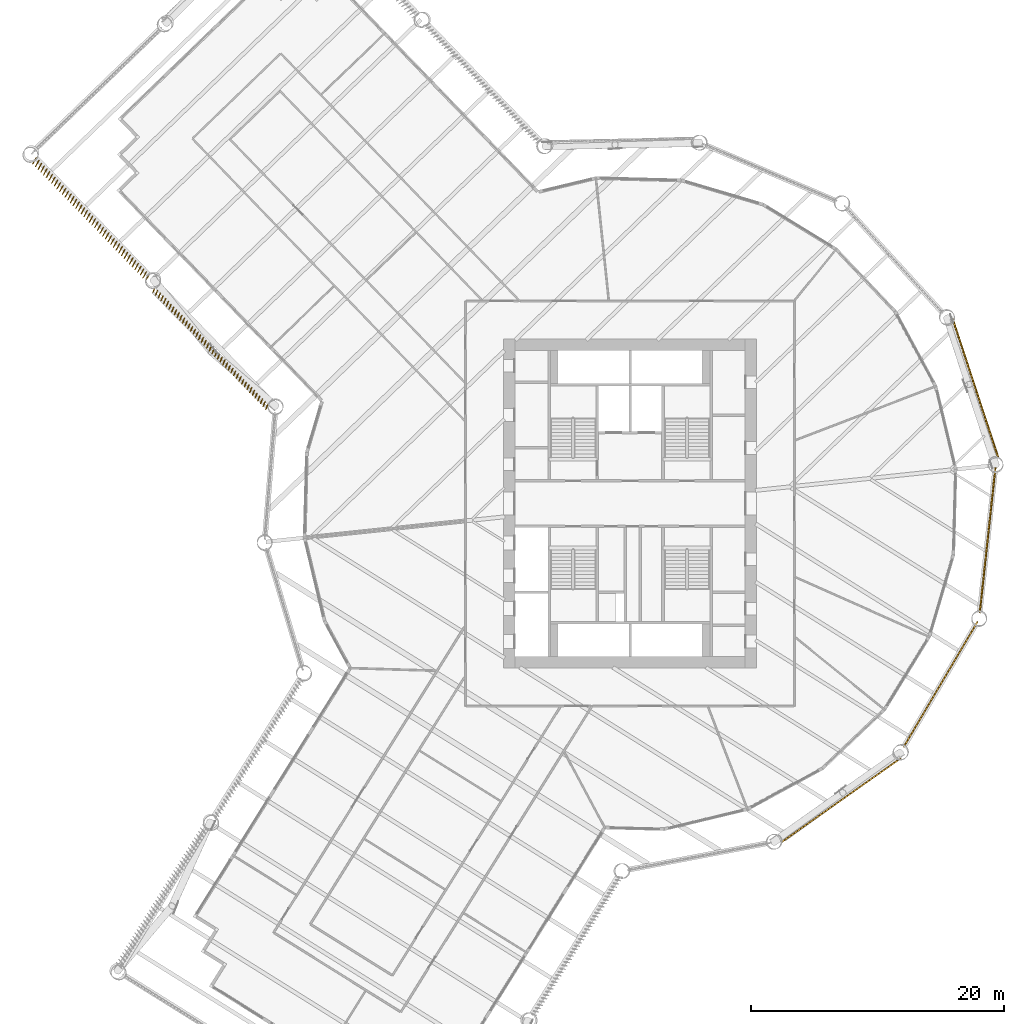
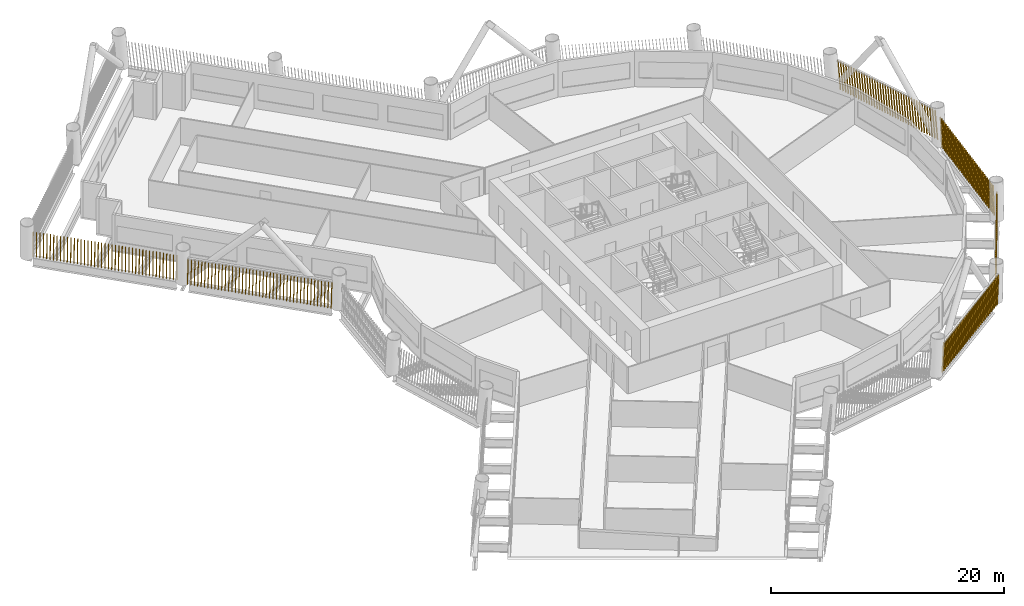
# One storey, part 20 of 22: 6 shading devices.
"""IFC4 building model written with IfcOpenShell, lengths in metres."""

from ifc_helpers import new_model, si_unit, direction, frame, frame_2d, origin, place, context, subcontext, project, spatial, rectangle, composite_profile, extrude, material, type_object, element, save


model = new_model("IFC4")

# Units and contexts
model_context = context("Model", 3, precision=1e-05, world=origin(), true_north=direction((0.0, 1.0)))
body_context = subcontext(model_context, "Body", "Model", "MODEL_VIEW")
ifc_project = project(units=[si_unit("LENGTHUNIT", "METRE"), si_unit("AREAUNIT", "SQUARE_METRE"), si_unit("VOLUMEUNIT", "CUBIC_METRE"), si_unit("PLANEANGLEUNIT", "RADIAN"), si_unit("MASSUNIT", "GRAM", prefix="KILO")], contexts=[model_context])

# Site, building, storey
site_placement = place(None, origin())
site = spatial("IfcSite", under=ifc_project, at=site_placement, CompositionType="ELEMENT")
building_placement = place(site_placement, origin())
building = spatial("IfcBuilding", under=site, at=building_placement, Name="Tarsis Ring Headquarters", CompositionType="ELEMENT")
storey_placement = place(building_placement, frame((0.0, 0.0, 71.199951171875)))
storey = spatial("IfcBuildingStorey", under=building, at=storey_placement, Name="L15", CompositionType="ELEMENT", Elevation=71.199951171875)

# Shading devices
ifc_material = material(Name="Terracotta baguette", Category="masonry")
shading_device_type = type_object("IfcShadingDeviceType", Name="Terracotta baguette screen", PredefinedType="USERDEFINED", material=ifc_material)
shading_device_1_placement = place(storey_placement, frame((11.962158203125, -26.763671875, 0.0), z_axis=(0.0, 0.0, 1.0), x_axis=(0.817710255019, 0.575648399349, 0.0)))
element("IfcShadingDevice", 1, at=shading_device_1_placement, inside=storey, type_object=shading_device_type, Name="Baguette screen L15-08", ObjectType="Terracotta baguette screen", PredefinedType="USERDEFINED", context=body_context, shape_type="SweptSolid", body=[
    extrude(composite_profile([rectangle(XDim=0.06005859375, YDim=0.1201171875, at=frame_2d((0.030029296875, 0.0))), rectangle(XDim=0.06005859375, YDim=0.1201171875, at=frame_2d((0.33251953125, 0.0))), rectangle(XDim=0.06005859375, YDim=0.1201171875, at=frame_2d((0.634765625, 0.0))), rectangle(XDim=0.06005859375, YDim=0.1201171875, at=frame_2d((0.937255859375, 0.0))), rectangle(XDim=0.06005859375, YDim=0.1201171875, at=frame_2d((1.239501953125, 0.0))), rectangle(XDim=0.06005859375, YDim=0.1201171875, at=frame_2d((1.5419921875, 0.0))), rectangle(XDim=0.06005859375, YDim=0.1201171875, at=frame_2d((1.844482421875, 0.0))), rectangle(XDim=0.06005859375, YDim=0.1201171875, at=frame_2d((2.146728515625, 0.0))), rectangle(XDim=0.06005859375, YDim=0.1201171875, at=frame_2d((2.44921875, 0.0))), rectangle(XDim=0.06005859375, YDim=0.1201171875, at=frame_2d((2.751708984375, 0.0))), rectangle(XDim=0.06005859375, YDim=0.1201171875, at=frame_2d((3.053955078125, 0.0))), rectangle(XDim=0.06005859375, YDim=0.1201171875, at=frame_2d((3.3564453125, 0.0))), rectangle(XDim=0.06005859375, YDim=0.1201171875, at=frame_2d((3.65869140625, 0.0))), rectangle(XDim=0.06005859375, YDim=0.1201171875, at=frame_2d((3.961181640625, 0.0))), rectangle(XDim=0.06005859375, YDim=0.1201171875, at=frame_2d((4.263671875, 0.0))), rectangle(XDim=0.06005859375, YDim=0.1201171875, at=frame_2d((4.56591796875, 0.0))), rectangle(XDim=0.06005859375, YDim=0.1201171875, at=frame_2d((4.868408203125, 0.0))), rectangle(XDim=0.06005859375, YDim=0.1201171875, at=frame_2d((5.1708984375, 0.0))), rectangle(XDim=0.06005859375, YDim=0.1201171875, at=frame_2d((5.47314453125, 0.0))), rectangle(XDim=0.06005859375, YDim=0.1201171875, at=frame_2d((5.775634765625, 0.0))), rectangle(XDim=0.06005859375, YDim=0.1201171875, at=frame_2d((6.077880859375, 0.0))), rectangle(XDim=0.06005859375, YDim=0.1201171875, at=frame_2d((6.38037109375, 0.0))), rectangle(XDim=0.06005859375, YDim=0.1201171875, at=frame_2d((6.682861328125, 0.0))), rectangle(XDim=0.06005859375, YDim=0.1201171875, at=frame_2d((6.985107421875, 0.0))), rectangle(XDim=0.06005859375, YDim=0.1201171875, at=frame_2d((7.28759765625, 0.0))), rectangle(XDim=0.06005859375, YDim=0.1201171875, at=frame_2d((7.590087890625, 0.0))), rectangle(XDim=0.06005859375, YDim=0.1201171875, at=frame_2d((7.892333984375, 0.0))), rectangle(XDim=0.06005859375, YDim=0.1201171875, at=frame_2d((8.19482421875, 0.0))), rectangle(XDim=0.06005859375, YDim=0.1201171875, at=frame_2d((8.4970703125, 0.0))), rectangle(XDim=0.06005859375, YDim=0.1201171875, at=frame_2d((8.799560546875, 0.0))), rectangle(XDim=0.06005859375, YDim=0.1201171875, at=frame_2d((9.10205078125, 0.0))), rectangle(XDim=0.06005859375, YDim=0.1201171875, at=frame_2d((9.404296875, 0.0))), rectangle(XDim=0.06005859375, YDim=0.1201171875, at=frame_2d((9.706787109375, 0.0))), rectangle(XDim=0.06005859375, YDim=0.1201171875, at=frame_2d((10.00927734375, 0.0))), rectangle(XDim=0.06005859375, YDim=0.1201171875, at=frame_2d((10.3115234375, 0.0))), rectangle(XDim=0.06005859375, YDim=0.1201171875, at=frame_2d((10.614013671875, 0.0))), rectangle(XDim=0.06005859375, YDim=0.1201171875, at=frame_2d((10.916259765625, 0.0))), rectangle(XDim=0.06005859375, YDim=0.1201171875, at=frame_2d((11.21875, 0.0)))]), origin(), (0.101510983101, 0.000530109274, 0.994834277302), 2.968017578125),
])
shading_device_2_placement = place(storey_placement, frame((21.607177734375, -19.26318359375, 0.0), z_axis=(0.0, 0.0, 1.0), x_axis=(0.507759088443, 0.861508410201, 0.0)))
element("IfcShadingDevice", 2, at=shading_device_2_placement, inside=storey, type_object=shading_device_type, Name="Baguette screen L15-09", ObjectType="Terracotta baguette screen", PredefinedType="USERDEFINED", context=body_context, shape_type="SweptSolid", body=[
    extrude(composite_profile([rectangle(XDim=0.06005859375, YDim=0.1201171875, at=frame_2d((0.030029296875, 0.0))), rectangle(XDim=0.06005859375, YDim=0.1201171875, at=frame_2d((0.33251953125, 0.0))), rectangle(XDim=0.06005859375, YDim=0.1201171875, at=frame_2d((0.634765625, 0.0))), rectangle(XDim=0.06005859375, YDim=0.1201171875, at=frame_2d((0.937255859375, 0.0))), rectangle(XDim=0.06005859375, YDim=0.1201171875, at=frame_2d((1.239501953125, 0.0))), rectangle(XDim=0.06005859375, YDim=0.1201171875, at=frame_2d((1.5419921875, 0.0))), rectangle(XDim=0.06005859375, YDim=0.1201171875, at=frame_2d((1.844482421875, 0.0))), rectangle(XDim=0.06005859375, YDim=0.1201171875, at=frame_2d((2.146728515625, 0.0))), rectangle(XDim=0.06005859375, YDim=0.1201171875, at=frame_2d((2.44921875, 0.0))), rectangle(XDim=0.06005859375, YDim=0.1201171875, at=frame_2d((2.751708984375, 0.0))), rectangle(XDim=0.06005859375, YDim=0.1201171875, at=frame_2d((3.053955078125, 0.0))), rectangle(XDim=0.06005859375, YDim=0.1201171875, at=frame_2d((3.3564453125, 0.0))), rectangle(XDim=0.06005859375, YDim=0.1201171875, at=frame_2d((3.65869140625, 0.0))), rectangle(XDim=0.06005859375, YDim=0.1201171875, at=frame_2d((3.961181640625, 0.0))), rectangle(XDim=0.06005859375, YDim=0.1201171875, at=frame_2d((4.263671875, 0.0))), rectangle(XDim=0.06005859375, YDim=0.1201171875, at=frame_2d((4.56591796875, 0.0))), rectangle(XDim=0.06005859375, YDim=0.1201171875, at=frame_2d((4.868408203125, 0.0))), rectangle(XDim=0.06005859375, YDim=0.1201171875, at=frame_2d((5.1708984375, 0.0))), rectangle(XDim=0.06005859375, YDim=0.1201171875, at=frame_2d((5.47314453125, 0.0))), rectangle(XDim=0.06005859375, YDim=0.1201171875, at=frame_2d((5.775634765625, 0.0))), rectangle(XDim=0.06005859375, YDim=0.1201171875, at=frame_2d((6.077880859375, 0.0))), rectangle(XDim=0.06005859375, YDim=0.1201171875, at=frame_2d((6.38037109375, 0.0))), rectangle(XDim=0.06005859375, YDim=0.1201171875, at=frame_2d((6.682861328125, 0.0))), rectangle(XDim=0.06005859375, YDim=0.1201171875, at=frame_2d((6.985107421875, 0.0))), rectangle(XDim=0.06005859375, YDim=0.1201171875, at=frame_2d((7.28759765625, 0.0))), rectangle(XDim=0.06005859375, YDim=0.1201171875, at=frame_2d((7.590087890625, 0.0))), rectangle(XDim=0.06005859375, YDim=0.1201171875, at=frame_2d((7.892333984375, 0.0))), rectangle(XDim=0.06005859375, YDim=0.1201171875, at=frame_2d((8.19482421875, 0.0))), rectangle(XDim=0.06005859375, YDim=0.1201171875, at=frame_2d((8.4970703125, 0.0))), rectangle(XDim=0.06005859375, YDim=0.1201171875, at=frame_2d((8.799560546875, 0.0))), rectangle(XDim=0.06005859375, YDim=0.1201171875, at=frame_2d((9.10205078125, 0.0))), rectangle(XDim=0.06005859375, YDim=0.1201171875, at=frame_2d((9.404296875, 0.0))), rectangle(XDim=0.06005859375, YDim=0.1201171875, at=frame_2d((9.706787109375, 0.0))), rectangle(XDim=0.06005859375, YDim=0.1201171875, at=frame_2d((10.00927734375, 0.0))), rectangle(XDim=0.06005859375, YDim=0.1201171875, at=frame_2d((10.3115234375, 0.0))), rectangle(XDim=0.06005859375, YDim=0.1201171875, at=frame_2d((10.614013671875, 0.0))), rectangle(XDim=0.06005859375, YDim=0.1201171875, at=frame_2d((10.916259765625, 0.0))), rectangle(XDim=0.06005859375, YDim=0.1201171875, at=frame_2d((11.21875, 0.0)))]), origin(), (0.100201253667, 0.000526105758, 0.994967050699), 2.967529296875),
])
shading_device_3_placement = place(storey_placement, frame((27.62646484375, -8.644287109375, 0.0), z_axis=(0.0, 0.0, 1.0), x_axis=(0.107498643516, 0.99420510038, 0.0)))
element("IfcShadingDevice", 3, at=shading_device_3_placement, inside=storey, type_object=shading_device_type, Name="Baguette screen L15-10", ObjectType="Terracotta baguette screen", PredefinedType="USERDEFINED", context=body_context, shape_type="SweptSolid", body=[
    extrude(composite_profile([rectangle(XDim=0.06005859375, YDim=0.1201171875, at=frame_2d((0.030029296875, 0.0))), rectangle(XDim=0.06005859375, YDim=0.1201171875, at=frame_2d((0.33251953125, 0.0))), rectangle(XDim=0.06005859375, YDim=0.1201171875, at=frame_2d((0.634765625, 0.0))), rectangle(XDim=0.06005859375, YDim=0.1201171875, at=frame_2d((0.937255859375, 0.0))), rectangle(XDim=0.06005859375, YDim=0.1201171875, at=frame_2d((1.239501953125, 0.0))), rectangle(XDim=0.06005859375, YDim=0.1201171875, at=frame_2d((1.5419921875, 0.0))), rectangle(XDim=0.06005859375, YDim=0.1201171875, at=frame_2d((1.844482421875, 0.0))), rectangle(XDim=0.06005859375, YDim=0.1201171875, at=frame_2d((2.146728515625, 0.0))), rectangle(XDim=0.06005859375, YDim=0.1201171875, at=frame_2d((2.44921875, 0.0))), rectangle(XDim=0.06005859375, YDim=0.1201171875, at=frame_2d((2.751708984375, 0.0))), rectangle(XDim=0.06005859375, YDim=0.1201171875, at=frame_2d((3.053955078125, 0.0))), rectangle(XDim=0.06005859375, YDim=0.1201171875, at=frame_2d((3.3564453125, 0.0))), rectangle(XDim=0.06005859375, YDim=0.1201171875, at=frame_2d((3.65869140625, 0.0))), rectangle(XDim=0.06005859375, YDim=0.1201171875, at=frame_2d((3.961181640625, 0.0))), rectangle(XDim=0.06005859375, YDim=0.1201171875, at=frame_2d((4.263671875, 0.0))), rectangle(XDim=0.06005859375, YDim=0.1201171875, at=frame_2d((4.56591796875, 0.0))), rectangle(XDim=0.06005859375, YDim=0.1201171875, at=frame_2d((4.868408203125, 0.0))), rectangle(XDim=0.06005859375, YDim=0.1201171875, at=frame_2d((5.1708984375, 0.0))), rectangle(XDim=0.06005859375, YDim=0.1201171875, at=frame_2d((5.47314453125, 0.0))), rectangle(XDim=0.06005859375, YDim=0.1201171875, at=frame_2d((5.775634765625, 0.0))), rectangle(XDim=0.06005859375, YDim=0.1201171875, at=frame_2d((6.077880859375, 0.0))), rectangle(XDim=0.06005859375, YDim=0.1201171875, at=frame_2d((6.38037109375, 0.0))), rectangle(XDim=0.06005859375, YDim=0.1201171875, at=frame_2d((6.682861328125, 0.0))), rectangle(XDim=0.06005859375, YDim=0.1201171875, at=frame_2d((6.985107421875, 0.0))), rectangle(XDim=0.06005859375, YDim=0.1201171875, at=frame_2d((7.28759765625, 0.0))), rectangle(XDim=0.06005859375, YDim=0.1201171875, at=frame_2d((7.590087890625, 0.0))), rectangle(XDim=0.06005859375, YDim=0.1201171875, at=frame_2d((7.892333984375, 0.0))), rectangle(XDim=0.06005859375, YDim=0.1201171875, at=frame_2d((8.19482421875, 0.0))), rectangle(XDim=0.06005859375, YDim=0.1201171875, at=frame_2d((8.4970703125, 0.0))), rectangle(XDim=0.06005859375, YDim=0.1201171875, at=frame_2d((8.799560546875, 0.0))), rectangle(XDim=0.06005859375, YDim=0.1201171875, at=frame_2d((9.10205078125, 0.0))), rectangle(XDim=0.06005859375, YDim=0.1201171875, at=frame_2d((9.404296875, 0.0))), rectangle(XDim=0.06005859375, YDim=0.1201171875, at=frame_2d((9.706787109375, 0.0))), rectangle(XDim=0.06005859375, YDim=0.1201171875, at=frame_2d((10.00927734375, 0.0))), rectangle(XDim=0.06005859375, YDim=0.1201171875, at=frame_2d((10.3115234375, 0.0))), rectangle(XDim=0.06005859375, YDim=0.1201171875, at=frame_2d((10.614013671875, 0.0))), rectangle(XDim=0.06005859375, YDim=0.1201171875, at=frame_2d((10.916259765625, 0.0))), rectangle(XDim=0.06005859375, YDim=0.1201171875, at=frame_2d((11.21875, 0.0)))]), origin(), (0.100200357996, 0.000524313468, 0.994967141846), 2.967529296875),
])
shading_device_4_placement = place(storey_placement, frame((29.08984375, 3.62841796875, 0.0), z_axis=(0.0, 0.0, 1.0), x_axis=(-0.311861096039, 0.950124796527, 0.0)))
element("IfcShadingDevice", 4, at=shading_device_4_placement, inside=storey, type_object=shading_device_type, Name="Baguette screen L15-11", ObjectType="Terracotta baguette screen", PredefinedType="USERDEFINED", context=body_context, shape_type="SweptSolid", body=[
    extrude(composite_profile([rectangle(XDim=0.06005859375, YDim=0.1201171875, at=frame_2d((0.030029296875, 0.0))), rectangle(XDim=0.06005859375, YDim=0.1201171875, at=frame_2d((0.33251953125, 0.0))), rectangle(XDim=0.06005859375, YDim=0.1201171875, at=frame_2d((0.634765625, 0.0))), rectangle(XDim=0.06005859375, YDim=0.1201171875, at=frame_2d((0.937255859375, 0.0))), rectangle(XDim=0.06005859375, YDim=0.1201171875, at=frame_2d((1.239501953125, 0.0))), rectangle(XDim=0.06005859375, YDim=0.1201171875, at=frame_2d((1.5419921875, 0.0))), rectangle(XDim=0.06005859375, YDim=0.1201171875, at=frame_2d((1.844482421875, 0.0))), rectangle(XDim=0.06005859375, YDim=0.1201171875, at=frame_2d((2.146728515625, 0.0))), rectangle(XDim=0.06005859375, YDim=0.1201171875, at=frame_2d((2.44921875, 0.0))), rectangle(XDim=0.06005859375, YDim=0.1201171875, at=frame_2d((2.751708984375, 0.0))), rectangle(XDim=0.06005859375, YDim=0.1201171875, at=frame_2d((3.053955078125, 0.0))), rectangle(XDim=0.06005859375, YDim=0.1201171875, at=frame_2d((3.3564453125, 0.0))), rectangle(XDim=0.06005859375, YDim=0.1201171875, at=frame_2d((3.65869140625, 0.0))), rectangle(XDim=0.06005859375, YDim=0.1201171875, at=frame_2d((3.961181640625, 0.0))), rectangle(XDim=0.06005859375, YDim=0.1201171875, at=frame_2d((4.263671875, 0.0))), rectangle(XDim=0.06005859375, YDim=0.1201171875, at=frame_2d((4.56591796875, 0.0))), rectangle(XDim=0.06005859375, YDim=0.1201171875, at=frame_2d((4.868408203125, 0.0))), rectangle(XDim=0.06005859375, YDim=0.1201171875, at=frame_2d((5.1708984375, 0.0))), rectangle(XDim=0.06005859375, YDim=0.1201171875, at=frame_2d((5.47314453125, 0.0))), rectangle(XDim=0.06005859375, YDim=0.1201171875, at=frame_2d((5.775634765625, 0.0))), rectangle(XDim=0.06005859375, YDim=0.1201171875, at=frame_2d((6.077880859375, 0.0))), rectangle(XDim=0.06005859375, YDim=0.1201171875, at=frame_2d((6.38037109375, 0.0))), rectangle(XDim=0.06005859375, YDim=0.1201171875, at=frame_2d((6.682861328125, 0.0))), rectangle(XDim=0.06005859375, YDim=0.1201171875, at=frame_2d((6.985107421875, 0.0))), rectangle(XDim=0.06005859375, YDim=0.1201171875, at=frame_2d((7.28759765625, 0.0))), rectangle(XDim=0.06005859375, YDim=0.1201171875, at=frame_2d((7.590087890625, 0.0))), rectangle(XDim=0.06005859375, YDim=0.1201171875, at=frame_2d((7.892333984375, 0.0))), rectangle(XDim=0.06005859375, YDim=0.1201171875, at=frame_2d((8.19482421875, 0.0))), rectangle(XDim=0.06005859375, YDim=0.1201171875, at=frame_2d((8.4970703125, 0.0))), rectangle(XDim=0.06005859375, YDim=0.1201171875, at=frame_2d((8.799560546875, 0.0))), rectangle(XDim=0.06005859375, YDim=0.1201171875, at=frame_2d((9.10205078125, 0.0))), rectangle(XDim=0.06005859375, YDim=0.1201171875, at=frame_2d((9.404296875, 0.0))), rectangle(XDim=0.06005859375, YDim=0.1201171875, at=frame_2d((9.706787109375, 0.0))), rectangle(XDim=0.06005859375, YDim=0.1201171875, at=frame_2d((10.00927734375, 0.0))), rectangle(XDim=0.06005859375, YDim=0.1201171875, at=frame_2d((10.3115234375, 0.0))), rectangle(XDim=0.06005859375, YDim=0.1201171875, at=frame_2d((10.614013671875, 0.0))), rectangle(XDim=0.06005859375, YDim=0.1201171875, at=frame_2d((10.916259765625, 0.0))), rectangle(XDim=0.06005859375, YDim=0.1201171875, at=frame_2d((11.21875, 0.0)))]), origin(), (0.101509939605, 0.000531040722, 0.994834383281), 2.968017578125),
])
shading_device_5_placement = place(storey_placement, frame((-46.976806640625, 27.340576171875, 0.0), z_axis=(0.0, 0.0, 1.0), x_axis=(0.694652588556, -0.719346049046, 0.0)))
element("IfcShadingDevice", 5, at=shading_device_5_placement, inside=storey, type_object=shading_device_type, Name="Baguette screen L15-19", ObjectType="Terracotta baguette screen", PredefinedType="USERDEFINED", context=body_context, shape_type="SweptSolid", body=[
    extrude(composite_profile([rectangle(XDim=0.06005859375, YDim=0.1201171875, at=frame_2d((0.030029296875, 0.0))), rectangle(XDim=0.06005859375, YDim=0.1201171875, at=frame_2d((0.335693359375, 0.0))), rectangle(XDim=0.06005859375, YDim=0.1201171875, at=frame_2d((0.6416015625, 0.0))), rectangle(XDim=0.06005859375, YDim=0.1201171875, at=frame_2d((0.947265625, 0.0))), rectangle(XDim=0.06005859375, YDim=0.1201171875, at=frame_2d((1.253173828125, 0.0))), rectangle(XDim=0.06005859375, YDim=0.1201171875, at=frame_2d((1.558837890625, 0.0))), rectangle(XDim=0.06005859375, YDim=0.1201171875, at=frame_2d((1.864501953125, 0.0))), rectangle(XDim=0.06005859375, YDim=0.1201171875, at=frame_2d((2.17041015625, 0.0))), rectangle(XDim=0.06005859375, YDim=0.1201171875, at=frame_2d((2.47607421875, 0.0))), rectangle(XDim=0.06005859375, YDim=0.1201171875, at=frame_2d((2.781982421875, 0.0))), rectangle(XDim=0.06005859375, YDim=0.1201171875, at=frame_2d((3.087646484375, 0.0))), rectangle(XDim=0.06005859375, YDim=0.1201171875, at=frame_2d((3.393310546875, 0.0))), rectangle(XDim=0.06005859375, YDim=0.1201171875, at=frame_2d((3.69921875, 0.0))), rectangle(XDim=0.06005859375, YDim=0.1201171875, at=frame_2d((4.0048828125, 0.0))), rectangle(XDim=0.06005859375, YDim=0.1201171875, at=frame_2d((4.310791015625, 0.0))), rectangle(XDim=0.06005859375, YDim=0.1201171875, at=frame_2d((4.616455078125, 0.0))), rectangle(XDim=0.06005859375, YDim=0.1201171875, at=frame_2d((4.922119140625, 0.0))), rectangle(XDim=0.06005859375, YDim=0.1201171875, at=frame_2d((5.22802734375, 0.0))), rectangle(XDim=0.06005859375, YDim=0.1201171875, at=frame_2d((5.53369140625, 0.0))), rectangle(XDim=0.06005859375, YDim=0.1201171875, at=frame_2d((5.839599609375, 0.0))), rectangle(XDim=0.06005859375, YDim=0.1201171875, at=frame_2d((6.145263671875, 0.0))), rectangle(XDim=0.06005859375, YDim=0.1201171875, at=frame_2d((6.451171875, 0.0))), rectangle(XDim=0.06005859375, YDim=0.1201171875, at=frame_2d((6.7568359375, 0.0))), rectangle(XDim=0.06005859375, YDim=0.1201171875, at=frame_2d((7.0625, 0.0))), rectangle(XDim=0.06005859375, YDim=0.1201171875, at=frame_2d((7.368408203125, 0.0))), rectangle(XDim=0.06005859375, YDim=0.1201171875, at=frame_2d((7.674072265625, 0.0))), rectangle(XDim=0.06005859375, YDim=0.1201171875, at=frame_2d((7.97998046875, 0.0))), rectangle(XDim=0.06005859375, YDim=0.1201171875, at=frame_2d((8.28564453125, 0.0))), rectangle(XDim=0.06005859375, YDim=0.1201171875, at=frame_2d((8.59130859375, 0.0))), rectangle(XDim=0.06005859375, YDim=0.1201171875, at=frame_2d((8.897216796875, 0.0))), rectangle(XDim=0.06005859375, YDim=0.1201171875, at=frame_2d((9.202880859375, 0.0))), rectangle(XDim=0.06005859375, YDim=0.1201171875, at=frame_2d((9.5087890625, 0.0))), rectangle(XDim=0.06005859375, YDim=0.1201171875, at=frame_2d((9.814453125, 0.0))), rectangle(XDim=0.06005859375, YDim=0.1201171875, at=frame_2d((10.1201171875, 0.0))), rectangle(XDim=0.06005859375, YDim=0.1201171875, at=frame_2d((10.426025390625, 0.0))), rectangle(XDim=0.06005859375, YDim=0.1201171875, at=frame_2d((10.731689453125, 0.0))), rectangle(XDim=0.06005859375, YDim=0.1201171875, at=frame_2d((11.03759765625, 0.0))), rectangle(XDim=0.06005859375, YDim=0.1201171875, at=frame_2d((11.34326171875, 0.0))), rectangle(XDim=0.06005859375, YDim=0.1201171875, at=frame_2d((11.64892578125, 0.0))), rectangle(XDim=0.06005859375, YDim=0.1201171875, at=frame_2d((11.954833984375, 0.0))), rectangle(XDim=0.06005859375, YDim=0.1201171875, at=frame_2d((12.260498046875, 0.0))), rectangle(XDim=0.06005859375, YDim=0.1201171875, at=frame_2d((12.56640625, 0.0))), rectangle(XDim=0.06005859375, YDim=0.1201171875, at=frame_2d((12.8720703125, 0.0)))]), origin(), (0.052580125738, -0.16001294173, 0.985713543001), 2.995361328125),
])
shading_device_6_placement = place(storey_placement, frame((-37.58935546875, 17.07958984375, 0.0), z_axis=(0.0, 0.0, 1.0), x_axis=(0.694665733154, -0.719340738358, 0.0)))
element("IfcShadingDevice", 6, at=shading_device_6_placement, inside=storey, type_object=shading_device_type, Name="Baguette screen L15-20", ObjectType="Terracotta baguette screen", PredefinedType="USERDEFINED", context=body_context, shape_type="SweptSolid", body=[
    extrude(composite_profile([rectangle(XDim=0.06005859375, YDim=0.1201171875, at=frame_2d((0.030029296875, 0.0))), rectangle(XDim=0.06005859375, YDim=0.1201171875, at=frame_2d((0.335693359375, 0.0))), rectangle(XDim=0.06005859375, YDim=0.1201171875, at=frame_2d((0.6416015625, 0.0))), rectangle(XDim=0.06005859375, YDim=0.1201171875, at=frame_2d((0.947265625, 0.0))), rectangle(XDim=0.06005859375, YDim=0.1201171875, at=frame_2d((1.253173828125, 0.0))), rectangle(XDim=0.06005859375, YDim=0.1201171875, at=frame_2d((1.558837890625, 0.0))), rectangle(XDim=0.06005859375, YDim=0.1201171875, at=frame_2d((1.864501953125, 0.0))), rectangle(XDim=0.06005859375, YDim=0.1201171875, at=frame_2d((2.17041015625, 0.0))), rectangle(XDim=0.06005859375, YDim=0.1201171875, at=frame_2d((2.47607421875, 0.0))), rectangle(XDim=0.06005859375, YDim=0.1201171875, at=frame_2d((2.781982421875, 0.0))), rectangle(XDim=0.06005859375, YDim=0.1201171875, at=frame_2d((3.087646484375, 0.0))), rectangle(XDim=0.06005859375, YDim=0.1201171875, at=frame_2d((3.393310546875, 0.0))), rectangle(XDim=0.06005859375, YDim=0.1201171875, at=frame_2d((3.69921875, 0.0))), rectangle(XDim=0.06005859375, YDim=0.1201171875, at=frame_2d((4.0048828125, 0.0))), rectangle(XDim=0.06005859375, YDim=0.1201171875, at=frame_2d((4.310791015625, 0.0))), rectangle(XDim=0.06005859375, YDim=0.1201171875, at=frame_2d((4.616455078125, 0.0))), rectangle(XDim=0.06005859375, YDim=0.1201171875, at=frame_2d((4.922119140625, 0.0))), rectangle(XDim=0.06005859375, YDim=0.1201171875, at=frame_2d((5.22802734375, 0.0))), rectangle(XDim=0.06005859375, YDim=0.1201171875, at=frame_2d((5.53369140625, 0.0))), rectangle(XDim=0.06005859375, YDim=0.1201171875, at=frame_2d((5.839599609375, 0.0))), rectangle(XDim=0.06005859375, YDim=0.1201171875, at=frame_2d((6.145263671875, 0.0))), rectangle(XDim=0.06005859375, YDim=0.1201171875, at=frame_2d((6.451171875, 0.0))), rectangle(XDim=0.06005859375, YDim=0.1201171875, at=frame_2d((6.7568359375, 0.0))), rectangle(XDim=0.06005859375, YDim=0.1201171875, at=frame_2d((7.0625, 0.0))), rectangle(XDim=0.06005859375, YDim=0.1201171875, at=frame_2d((7.368408203125, 0.0))), rectangle(XDim=0.06005859375, YDim=0.1201171875, at=frame_2d((7.674072265625, 0.0))), rectangle(XDim=0.06005859375, YDim=0.1201171875, at=frame_2d((7.97998046875, 0.0))), rectangle(XDim=0.06005859375, YDim=0.1201171875, at=frame_2d((8.28564453125, 0.0))), rectangle(XDim=0.06005859375, YDim=0.1201171875, at=frame_2d((8.59130859375, 0.0))), rectangle(XDim=0.06005859375, YDim=0.1201171875, at=frame_2d((8.897216796875, 0.0))), rectangle(XDim=0.06005859375, YDim=0.1201171875, at=frame_2d((9.202880859375, 0.0))), rectangle(XDim=0.06005859375, YDim=0.1201171875, at=frame_2d((9.5087890625, 0.0))), rectangle(XDim=0.06005859375, YDim=0.1201171875, at=frame_2d((9.814453125, 0.0))), rectangle(XDim=0.06005859375, YDim=0.1201171875, at=frame_2d((10.1201171875, 0.0))), rectangle(XDim=0.06005859375, YDim=0.1201171875, at=frame_2d((10.426025390625, 0.0))), rectangle(XDim=0.06005859375, YDim=0.1201171875, at=frame_2d((10.731689453125, 0.0))), rectangle(XDim=0.06005859375, YDim=0.1201171875, at=frame_2d((11.03759765625, 0.0))), rectangle(XDim=0.06005859375, YDim=0.1201171875, at=frame_2d((11.34326171875, 0.0))), rectangle(XDim=0.06005859375, YDim=0.1201171875, at=frame_2d((11.64892578125, 0.0))), rectangle(XDim=0.06005859375, YDim=0.1201171875, at=frame_2d((11.954833984375, 0.0))), rectangle(XDim=0.06005859375, YDim=0.1201171875, at=frame_2d((12.260498046875, 0.0))), rectangle(XDim=0.06005859375, YDim=0.1201171875, at=frame_2d((12.56640625, 0.0))), rectangle(XDim=0.06005859375, YDim=0.1201171875, at=frame_2d((12.8720703125, 0.0)))]), origin(), (0.05398942289, -0.112142001702, 0.992224427068), 2.975830078125),
])

save(model, "model.ifc")
